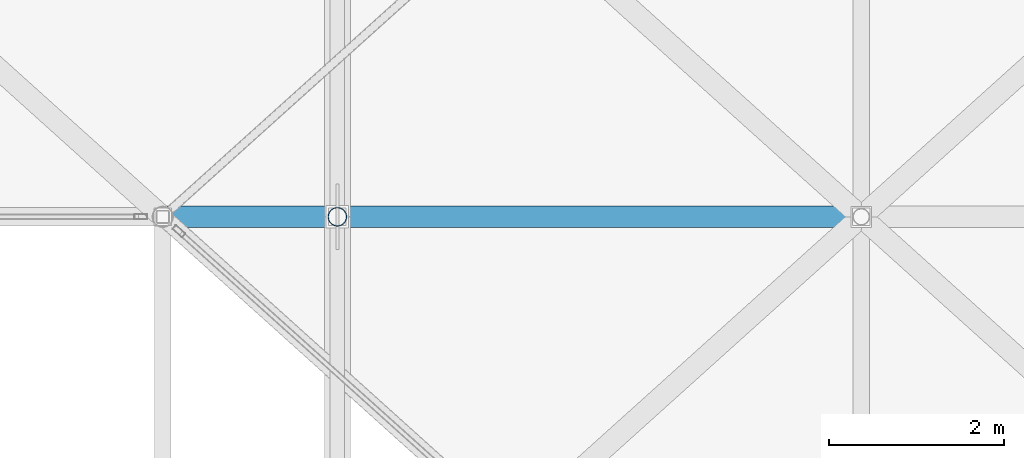
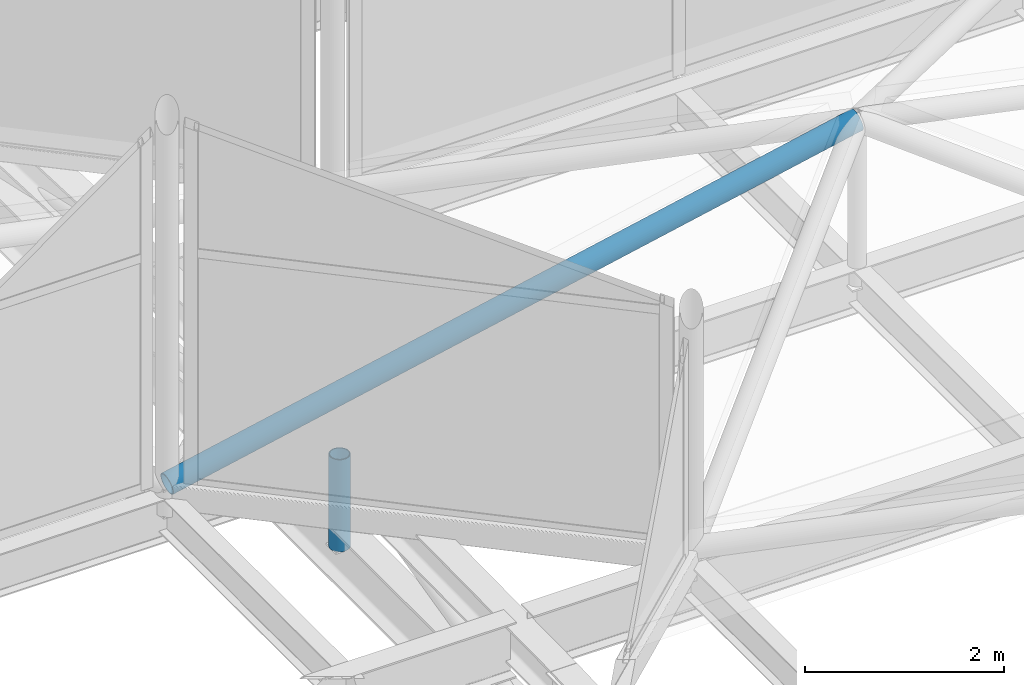
# One storey, part 101 of 239: 2 members.
"""IFC4 building model written with IfcOpenShell, lengths in metres."""

from ifc_helpers import new_model, si_unit, direction, frame, origin, origin_2d, place, context, subcontext, project, spatial, hollow_circle, extrude, material, material_profile, profile_set, type_object, element, save


model = new_model("IFC4")

# Units and contexts
model_context = context("Model", 3, precision=1e-05, world=origin(), true_north=direction((0.0, 1.0)))
body_context = subcontext(model_context, "Body", "Model", "MODEL_VIEW")
ifc_project = project(units=[si_unit("LENGTHUNIT", "METRE"), si_unit("AREAUNIT", "SQUARE_METRE"), si_unit("VOLUMEUNIT", "CUBIC_METRE"), si_unit("PLANEANGLEUNIT", "RADIAN"), si_unit("MASSUNIT", "GRAM", prefix="KILO")], contexts=[model_context])

# Site, building, storey
site_placement = place(None, origin())
site = spatial("IfcSite", under=ifc_project, at=site_placement, CompositionType="ELEMENT")
building_placement = place(site_placement, origin())
building = spatial("IfcBuilding", under=site, at=building_placement, Name="Dunvalen Ferry Terminal", CompositionType="ELEMENT")
storey_placement = place(building_placement, frame((0.0, 0.0, 9.840087890625)))
storey = spatial("IfcBuildingStorey", under=building, at=storey_placement, Name="L02", CompositionType="ELEMENT", Elevation=9.840087890625)

# Members
ifc_material = material(Name="Steel S355", Category="steel")
ifc_material_profile_1 = material_profile(ifc_material, hollow_circle(Radius=0.109619140625, WallThickness=0.010009765625, at=origin_2d()), Name="Steel S355")
ifc_profile_set_1 = profile_set([ifc_material_profile_1], Name="Steel S355")
member_type_1 = type_object("IfcMemberType", Name="STR-MB-CHS219", PredefinedType="STRUT", material=ifc_profile_set_1)
member_1_placement = place(storey_placement, frame((60.0, 68.39990234375, -0.360107421875), z_axis=(0.0, 0.0, 1.0), x_axis=(1.0, 0.0, 0.0)))
element("IfcMember", 1, at=member_1_placement, inside=storey, type_object=member_type_1, Name="Departure Hall Arch Spandrel Strut 05.4", PredefinedType="STRUT", context=body_context, shape_type="SweptSolid", body=[
    extrude(hollow_circle(Radius=0.109619140625, WallThickness=0.010009765625, at=origin_2d()), origin(), (0.0, 0.0, 1.0), 1.130126953125),
])
ifc_material_profile_2 = material_profile(ifc_material, hollow_circle(Radius=0.122314453125, WallThickness=0.010009765625, at=origin_2d()), Name="Steel S355")
ifc_profile_set_2 = profile_set([ifc_material_profile_2], Name="Steel S355")
member_type_2 = type_object("IfcMemberType", Name="STR-MB-CHS244", PredefinedType="STRUT", material=ifc_profile_set_2)
member_2_placement = place(storey_placement, frame((58.0, 68.39990234375, 1.099853515625), z_axis=(0.979020171275, 0.0, 0.203763353518), x_axis=(0.0, 1.0, 0.0)))
element("IfcMember", 2, at=member_2_placement, inside=storey, type_object=member_type_2, Name="HEX-31 Pyramid Hip Rafter 1", PredefinedType="STRUT", context=body_context, shape_type="SweptSolid", body=[
    extrude(hollow_circle(Radius=0.122314453125, WallThickness=0.010009765625, at=origin_2d()), origin(), (0.0, 0.0, 1.0), 8.17138671875),
])

save(model, "model.ifc")
